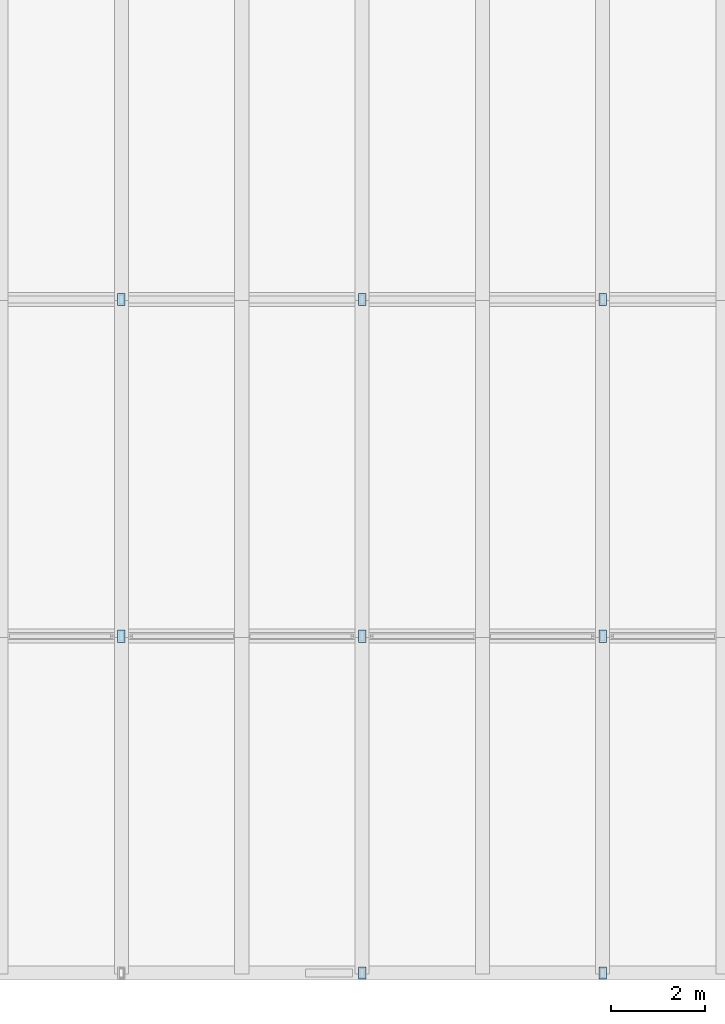
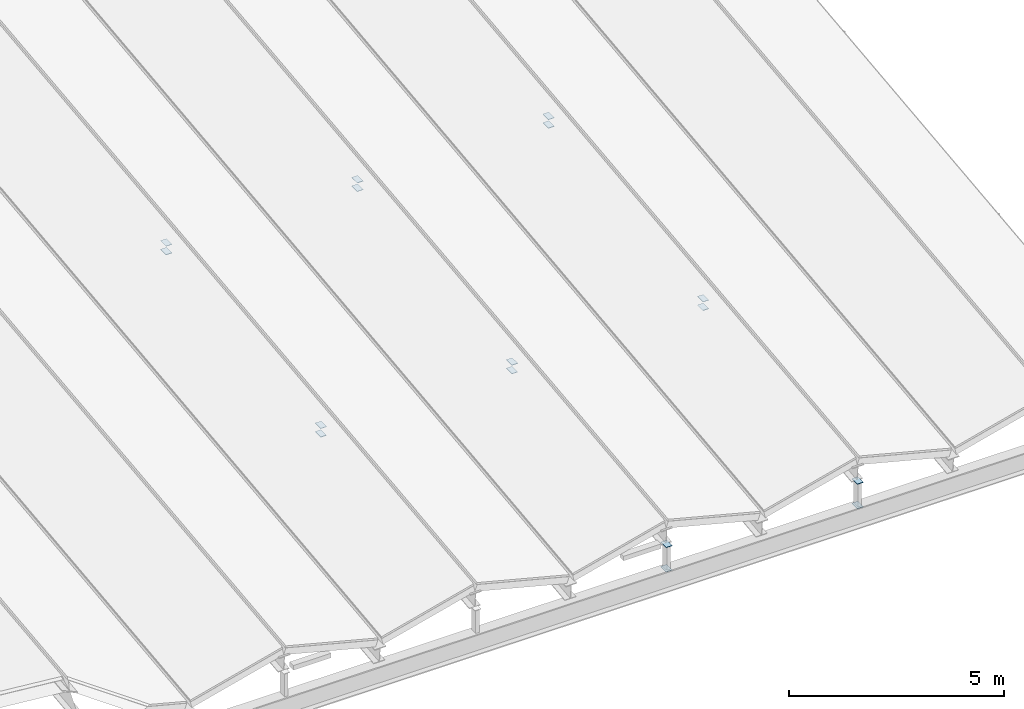
# One storey, part 33 of 39: 16 plates.
"""IFC4 building model written with IfcOpenShell, lengths in metres."""

from ifc_helpers import new_model, si_unit, direction, frame, origin, origin_2d, place, context, subcontext, project, spatial, rectangle, extrude, material, layer, layer_set, type_object, element, save


model = new_model("IFC4")

# Units and contexts
model_context = context("Model", 3, precision=1e-05, world=origin(), true_north=direction((0.0, 1.0)))
body_context = subcontext(model_context, "Body", "Model", "MODEL_VIEW")
ifc_project = project(units=[si_unit("LENGTHUNIT", "METRE"), si_unit("AREAUNIT", "SQUARE_METRE"), si_unit("VOLUMEUNIT", "CUBIC_METRE"), si_unit("PLANEANGLEUNIT", "RADIAN"), si_unit("MASSUNIT", "GRAM", prefix="KILO"), si_unit("THERMODYNAMICTEMPERATUREUNIT", "KELVIN"), si_unit("POWERUNIT", "WATT")], contexts=[model_context])

# Site, building, storey
site_placement = place(None, origin())
site = spatial("IfcSite", under=ifc_project, at=site_placement, CompositionType="ELEMENT")
building_placement = place(site_placement, origin())
building = spatial("IfcBuilding", under=site, at=building_placement, Name="Kaldorven Railside Theatre", CompositionType="ELEMENT")
storey_placement = place(building_placement, frame((0.0, 0.0, 27.300048828125)))
storey = spatial("IfcBuildingStorey", under=building, at=storey_placement, Name="ROOF", CompositionType="ELEMENT", Elevation=27.300048828125)

# Plates
ifc_material = material(Name="Steel S355", Category="steel")
ifc_layer = layer(ifc_material, 0.011962890625, Name="Steel S355")
ifc_layer_set = layer_set([ifc_layer], Name="Steel S355")
plate_type = type_object("IfcPlateType", Name="PLT-CAP-12", PredefinedType="USERDEFINED", material=ifc_layer_set)
for number, where, z_axis, x_axis, name in (
    (1, (110.3427734375, 84.0, -0.67529296875), (0.0, 0.0, 1.0), (1.0, 0.0, 0.0), "End cap gusset plate PL-0249"),
    (2, (110.3427734375, 84.0, 0.02001953125), (0.0, 0.0, 1.0), (1.0, 0.0, 0.0), "End cap gusset plate PL-0250"),
    (3, (115.485595703125, 84.0, -0.67529296875), (0.0, 0.0, 1.0), (1.0, 0.0, 0.0), "End cap gusset plate PL-0251"),
    (4, (115.485595703125, 84.0, 0.02001953125), (0.0, 0.0, 1.0), (1.0, 0.0, 0.0), "End cap gusset plate PL-0252"),
    (5, (105.199951171875, 91.199951171875, 0.59423828125), (0.0, 0.0, 1.0), (1.0, 0.0, 0.0), "End cap gusset plate PL-0293"),
    (6, (105.199951171875, 91.199951171875, 0.837890625), (0.0, 0.0, 1.0), (1.0, 0.0, 0.0), "End cap gusset plate PL-0294"),
    (7, (105.199951171875, 98.39990234375, 1.41455078125), (0.0, 0.0, 1.0), (1.0, 0.0, 0.0), "End cap gusset plate PL-0295"),
    (8, (105.199951171875, 98.39990234375, 1.658203125), (0.0, 0.0, 1.0), (1.0, 0.0, 0.0), "End cap gusset plate PL-0296"),
    (9, (110.3427734375, 91.199951171875, 0.59423828125), (0.0, 0.0, 1.0), (1.0, 0.0, 0.0), "End cap gusset plate PL-0299"),
    (10, (110.3427734375, 91.199951171875, 0.837890625), (0.0, 0.0, 1.0), (1.0, 0.0, 0.0), "End cap gusset plate PL-0300"),
    (11, (110.3427734375, 98.39990234375, 1.41455078125), (0.0, 0.0, 1.0), (1.0, 0.0, 0.0), "End cap gusset plate PL-0301"),
    (12, (110.3427734375, 98.39990234375, 1.658203125), (0.0, 0.0, 1.0), (1.0, 0.0, 0.0), "End cap gusset plate PL-0302"),
    (13, (115.485595703125, 91.199951171875, 0.59423828125), (0.0, 0.0, 1.0), (1.0, 0.0, 0.0), "End cap gusset plate PL-0305"),
    (14, (115.485595703125, 91.199951171875, 0.837890625), (0.0, 0.0, 1.0), (1.0, 0.0, 0.0), "End cap gusset plate PL-0306"),
    (15, (115.485595703125, 98.39990234375, 1.41455078125), (0.0, 0.0, 1.0), (1.0, 0.0, 0.0), "End cap gusset plate PL-0307"),
    (16, (115.485595703125, 98.39990234375, 1.658203125), (0.0, 0.0, 1.0), (1.0, 0.0, 0.0), "End cap gusset plate PL-0308"),
):
    element("IfcPlate", number, at=place(storey_placement, frame(where, z_axis=z_axis, x_axis=x_axis)), inside=storey, type_object=plate_type, Name=name, ObjectType="CAP PLATE", PredefinedType="USERDEFINED", context=body_context, shape_type="SweptSolid", body=[
        extrude(rectangle(XDim=0.159912109375, YDim=0.260009765625, at=origin_2d()), origin(), (0.0, 0.0, 1.0), 0.011962890625),
    ])

save(model, "model.ifc")
